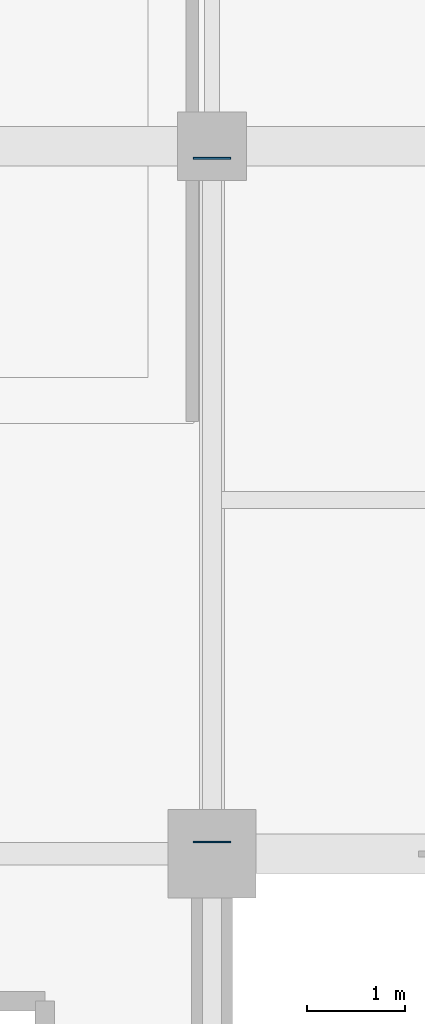
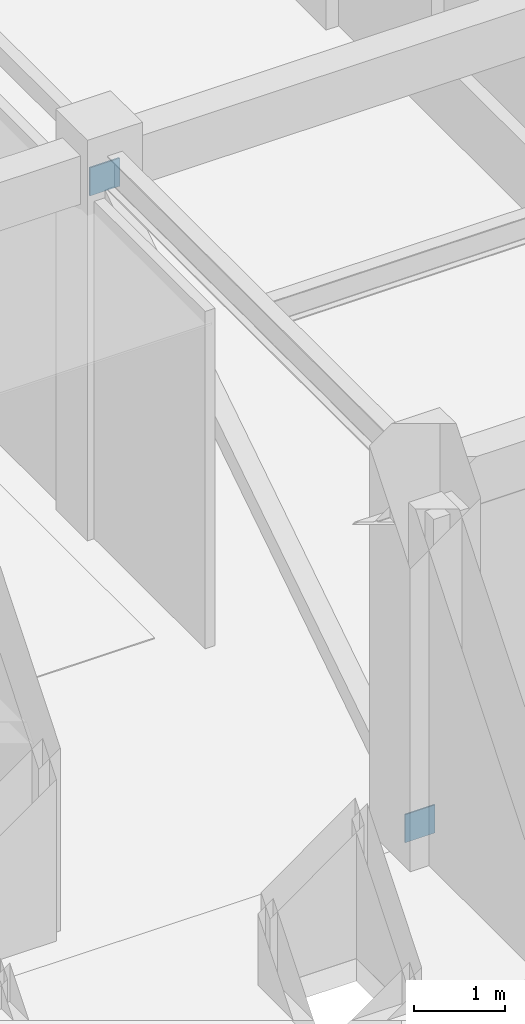
# One storey, part 70 of 102: 2 plates.
"""IFC4 building model written with IfcOpenShell, lengths in metres."""

from ifc_helpers import new_model, si_unit, direction, frame, origin, origin_2d, place, context, subcontext, project, spatial, rectangle, extrude, material, layer, layer_set, type_object, element, save


model = new_model("IFC4")

# Units and contexts
model_context = context("Model", 3, precision=1e-05, world=origin(), true_north=direction((0.0, 1.0)))
body_context = subcontext(model_context, "Body", "Model", "MODEL_VIEW")
ifc_project = project(units=[si_unit("LENGTHUNIT", "METRE"), si_unit("AREAUNIT", "SQUARE_METRE"), si_unit("VOLUMEUNIT", "CUBIC_METRE"), si_unit("PLANEANGLEUNIT", "RADIAN"), si_unit("MASSUNIT", "GRAM", prefix="KILO")], contexts=[model_context])

# Site, building, storey
site_placement = place(None, origin())
site = spatial("IfcSite", under=ifc_project, at=site_placement, CompositionType="ELEMENT")
building_placement = place(site_placement, origin())
building = spatial("IfcBuilding", under=site, at=building_placement, Name="Carrowvane Square Congress Hotel", CompositionType="ELEMENT")
storey_placement = place(building_placement, origin())
storey = spatial("IfcBuildingStorey", under=building, at=storey_placement, Name="L00", CompositionType="ELEMENT", Elevation=0.0)

# Plates
ifc_material_1 = material(Name="Steel S355", Category="steel")
ifc_layer_1 = layer(ifc_material_1, 0.02001953125)
ifc_layer_set_1 = layer_set([ifc_layer_1], Name="Steel S355")
plate_type_1 = type_object("IfcPlateType", Name="PLT-GUS-20", PredefinedType="SHEET", material=ifc_layer_set_1)
plate_1_placement = place(storey_placement, frame((62.0, 62.8798828125, 4.4599609375), z_axis=(0.0, 0.0, 1.0), x_axis=(1.0, 0.0, 0.0)))
element("IfcPlate", 1, at=plate_1_placement, inside=storey, type_object=plate_type_1, Name="L00 brace connection end plate 270", PredefinedType="SHEET", context=body_context, shape_type="SweptSolid", body=[
    extrude(rectangle(XDim=0.3798828125, YDim=0.02001953125, at=origin_2d()), origin(), (0.0, 0.0, 1.0), 0.3798828125),
])
ifc_material_2 = material(Name="Steel S355", Category="steel")
ifc_layer_2 = layer(ifc_material_2, 0.01611328125)
ifc_layer_set_2 = layer_set([ifc_layer_2], Name="Steel S355")
plate_type_2 = type_object("IfcPlateType", Name="PLT-STF-16", PredefinedType="USERDEFINED", material=ifc_layer_set_2)
plate_2_placement = place(storey_placement, frame((62.0, 55.919921875, -0.0400390625), z_axis=(0.0, 0.0, 1.0), x_axis=(1.0, 0.0, 0.0)))
element("IfcPlate", 2, at=plate_2_placement, inside=storey, type_object=plate_type_2, Name="L00 brace connection end plate 269", ObjectType="STIFFENER PLATE", PredefinedType="USERDEFINED", context=body_context, shape_type="SweptSolid", body=[
    extrude(rectangle(XDim=0.3798828125, YDim=0.01611328125, at=origin_2d()), origin(), (0.0, 0.0, 1.0), 0.3798828125),
])

save(model, "model.ifc")
